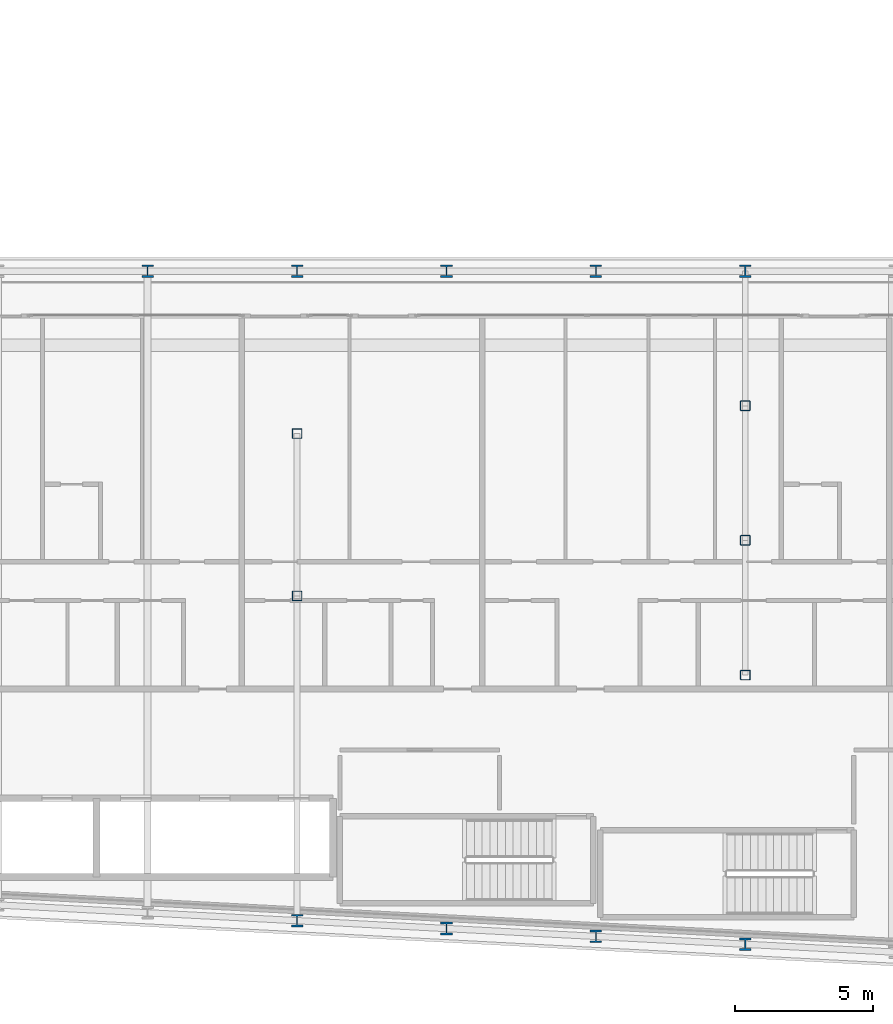
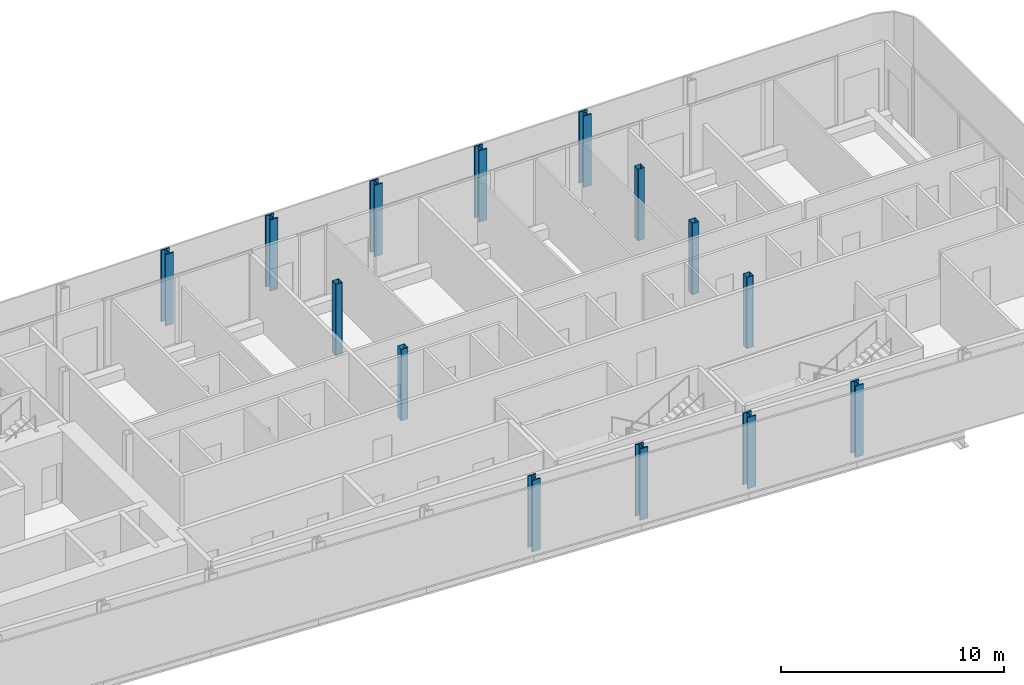
# One storey, part 2 of 25: 14 columns.
"""IFC4 building model written with IfcOpenShell, lengths in metres."""

from ifc_helpers import new_model, si_unit, direction, frame, origin, origin_2d, place, context, subcontext, project, spatial, hollow_rectangle, i_section, extrude, material, material_profile, profile_set, type_object, element, save


model = new_model("IFC4")

# Units and contexts
model_context = context("Model", 3, precision=1e-05, world=origin(), true_north=direction((0.0, 1.0)))
body_context = subcontext(model_context, "Body", "Model", "MODEL_VIEW")
ifc_project = project(units=[si_unit("LENGTHUNIT", "METRE"), si_unit("AREAUNIT", "SQUARE_METRE"), si_unit("VOLUMEUNIT", "CUBIC_METRE"), si_unit("PLANEANGLEUNIT", "RADIAN"), si_unit("MASSUNIT", "GRAM", prefix="KILO")], contexts=[model_context])

# Site, building, storey
site_placement = place(None, origin())
site = spatial("IfcSite", under=ifc_project, at=site_placement, CompositionType="ELEMENT")
building_placement = place(site_placement, origin())
building = spatial("IfcBuilding", under=site, at=building_placement, Name="Kheshtan School and Residences Tower", CompositionType="ELEMENT")
storey_placement = place(building_placement, frame((0.0, 0.0, 109.699951171875)))
storey = spatial("IfcBuildingStorey", under=building, at=storey_placement, Name="L25", CompositionType="ELEMENT", Elevation=109.699951171875)

# Columns
ifc_material_1 = material(Name="Steel ASTM A992 Grade 50", Category="steel")
ifc_material_profile_1 = material_profile(ifc_material_1, i_section(OverallWidth=0.41796875, OverallDepth=0.455078125, WebThickness=0.042236328125, FlangeThickness=0.067626953125, FilletRadius=0.013671875, at=origin_2d()), Name="W360x551")
ifc_profile_set_1 = profile_set([ifc_material_profile_1], Name="Steel ASTM A992 Grade 50")
column_type_1 = type_object("IfcColumnType", Name="Column C2 W360x551 ASTM A992 Grade 50", PredefinedType="COLUMN", material=ifc_profile_set_1)
for number, where, z_axis, x_axis, name in (
    (1, (85.39990234375, 21.27392578125, 0.0), (0.0, 0.0, 1.0), (1.0, 0.0, 0.0), "Column C008"),
    (2, (80.0, 21.55810546875, 0.0), (0.0, 0.0, 1.0), (1.0, 0.0, 0.0), "Column C012"),
    (3, (74.60009765625, 21.843017578125, 0.0), (0.0, 0.0, 1.0), (1.0, 0.0, 0.0), "Column C013"),
    (4, (69.199951171875, 22.126953125, 0.0), (0.0, 0.0, 1.0), (1.0, 0.0, 0.0), "Column C014"),
    (5, (63.800048828125, 45.60009765625, 0.0), (0.0, 0.0, 1.0), (1.0, 0.0, 0.0), "Column C063"),
    (6, (69.199951171875, 45.60009765625, 0.0), (0.0, 0.0, 1.0), (1.0, 0.0, 0.0), "Column C064"),
    (7, (74.60009765625, 45.60009765625, 0.0), (0.0, 0.0, 1.0), (1.0, 0.0, 0.0), "Column C065"),
    (8, (80.0, 45.60009765625, 0.0), (0.0, 0.0, 1.0), (1.0, 0.0, 0.0), "Column C066"),
    (9, (85.39990234375, 45.60009765625, 0.0), (0.0, 0.0, 1.0), (1.0, 0.0, 0.0), "Column C067"),
):
    element("IfcColumn", number, at=place(storey_placement, frame(where, z_axis=z_axis, x_axis=x_axis)), inside=storey, type_object=column_type_1, Name=name, PredefinedType="COLUMN", context=body_context, shape_type="SweptSolid", body=[
        extrude(i_section(OverallWidth=0.41796875, OverallDepth=0.455078125, WebThickness=0.042236328125, FlangeThickness=0.067626953125, FilletRadius=0.013671875, at=origin_2d()), origin(), (0.0, 0.0, 1.0), 3.900146484375),
    ])
ifc_material_2 = material(Name="Steel ASTM A500 Grade C", Category="steel")
ifc_material_profile_2 = material_profile(ifc_material_2, hollow_rectangle(XDim=0.35595703125, YDim=0.35595703125, WallThickness=0.015869140625, InnerFilletRadius=0.015869140625, OuterFilletRadius=0.03173828125, at=origin_2d()), Name="HSS 356x356x15.9")
ifc_profile_set_2 = profile_set([ifc_material_profile_2], Name="Steel ASTM A500 Grade C")
column_type_2 = type_object("IfcColumnType", Name="Column IC1 HSS 356x356x15.9 ASTM A500 Grade C", PredefinedType="COLUMN", material=ifc_profile_set_2)
for number, where, z_axis, x_axis, name in (
    (10, (85.39990234375, 31.0048828125, 0.0), (0.0, 0.0, 1.0), (1.0, 0.0, 0.0), "Column C049"),
    (11, (69.199951171875, 33.863037109375, 0.0), (0.0, 0.0, 1.0), (1.0, 0.0, 0.0), "Column C050"),
    (12, (85.39990234375, 35.8701171875, 0.0), (0.0, 0.0, 1.0), (1.0, 0.0, 0.0), "Column C053"),
    (13, (69.199951171875, 39.73193359375, 0.0), (0.0, 0.0, 1.0), (1.0, 0.0, 0.0), "Column C054"),
    (14, (85.39990234375, 40.735107421875, 0.0), (0.0, 0.0, 1.0), (1.0, 0.0, 0.0), "Column C057"),
):
    element("IfcColumn", number, at=place(storey_placement, frame(where, z_axis=z_axis, x_axis=x_axis)), inside=storey, type_object=column_type_2, Name=name, PredefinedType="COLUMN", context=body_context, shape_type="SweptSolid", body=[
        extrude(hollow_rectangle(XDim=0.35595703125, YDim=0.35595703125, WallThickness=0.015869140625, InnerFilletRadius=0.015869140625, OuterFilletRadius=0.03173828125, at=origin_2d()), origin(), (0.0, 0.0, 1.0), 3.900146484375),
    ])

save(model, "model.ifc")
